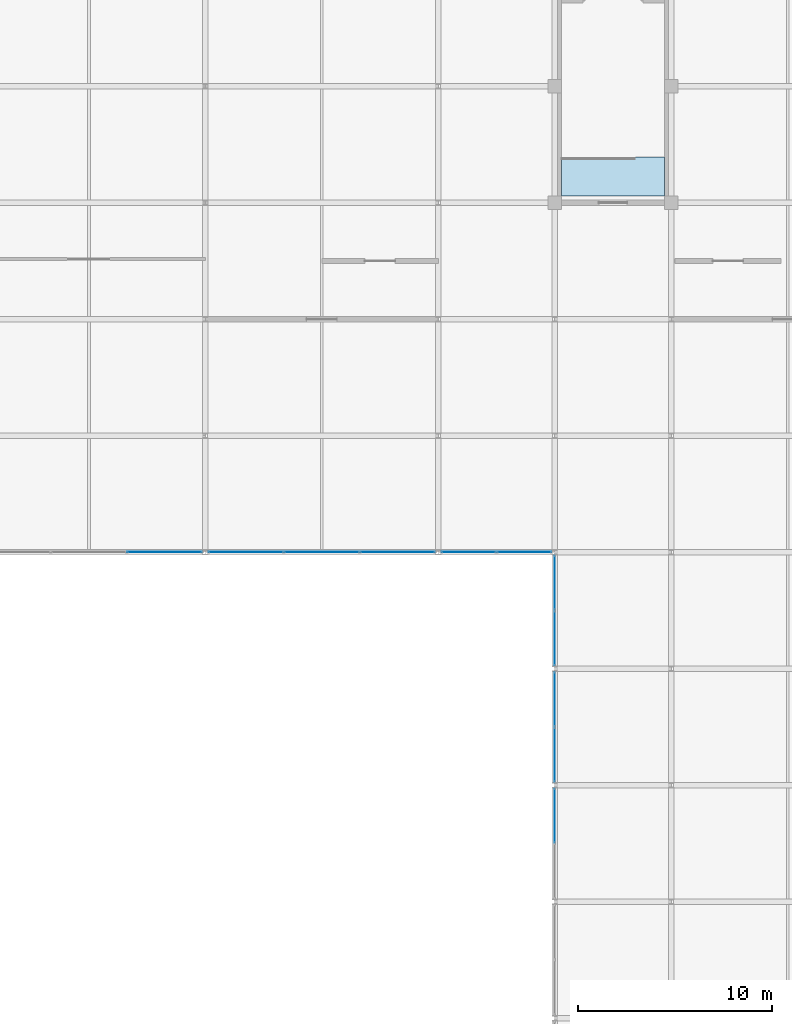
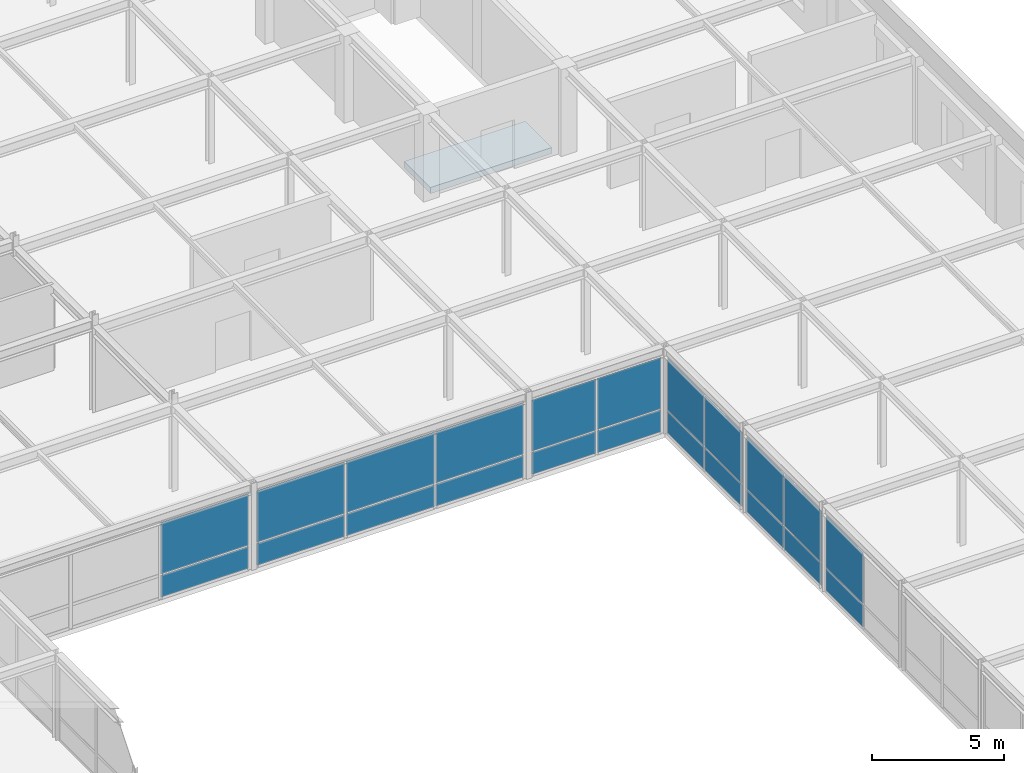
# One storey, part 99 of 111: 22 plates, 1 slab, 6 elements without a shape of their own.
"""IFC4 building model written with IfcOpenShell, lengths in metres."""

import ifcopenshell
import ifcopenshell.guid

model = None  # the IFC model being written
_history = None  # IfcOwnerHistory: only IFC2X3 demands one
_inside = {}  # id of a spatial element -> (the spatial element, [elements in it])
_under = {}  # id of a project, library or spatial element -> (it, [spatial elements below it])
_declared = {}  # id of a project -> (the project, [libraries it declares])
_typed = {}  # id of a type object -> (the type object, [elements of that type])
_made_of = {}  # id of a material, layer set ... -> (it, [elements and type objects made of it])


def new_model(schema):
    """Start an empty IFC model of exactly this schema.

    Asked for "IFC4X3", IfcOpenShell would pick the latest addendum, in which some entities
    have other attributes; the version numbers below select the first issue.
    IFC2X3 requires an IfcOwnerHistory on every rooted entity: one is made here for all.
    """
    global model, _history
    if schema == "IFC4X3":
        model = ifcopenshell.file(schema_version=(4, 3, 0, 0))
    else:
        model = ifcopenshell.file(schema=schema)
    _inside.clear()
    _under.clear()
    _declared.clear()
    _typed.clear()
    _made_of.clear()
    _history = None
    if model.schema == "IFC2X3":
        org = make("IfcOrganization", Name="unknown")
        user = make(
            "IfcPersonAndOrganization",
            ThePerson=make("IfcPerson", FamilyName="unknown"),
            TheOrganization=org,
        )
        app = make(
            "IfcApplication",
            ApplicationDeveloper=org,
            Version="unknown",
            ApplicationFullName="unknown",
            ApplicationIdentifier="unknown",
        )
        _history = make(
            "IfcOwnerHistory",
            OwningUser=user,
            OwningApplication=app,
            ChangeAction="ADDED",
            CreationDate=0,
        )
    return model


def make(cls, **values):
    """One entity of the class cls with the attributes given. An attribute that is None is left unset."""
    return model.create_entity(
        cls, **{name: value for name, value in values.items() if value is not None}
    )


def rooted(cls, **values):
    """An entity with a GlobalId (a new one), such as an element, a storey or a relation."""
    return make(cls, GlobalId=ifcopenshell.guid.new(), OwnerHistory=_history, **values)


def si_unit(unit_type, name, prefix=None):
    """IfcSIUnit, for example si_unit("LENGTHUNIT", "METRE", prefix="MILLI")."""
    return make("IfcSIUnit", UnitType=unit_type, Prefix=prefix, Name=name)


def assignment(units):
    """IfcUnitAssignment: the units of a project."""
    return None if units is None else make("IfcUnitAssignment", Units=units)


def point(xyz):
    """IfcCartesianPoint."""
    return None if xyz is None else make("IfcCartesianPoint", Coordinates=xyz)


def direction(xyz):
    """IfcDirection."""
    return None if xyz is None else make("IfcDirection", DirectionRatios=xyz)


def frame(location, z_axis=None, x_axis=None):
    """IfcAxis2Placement3D, a coordinate frame: its origin and axes. An axis left out is left unset."""
    return make(
        "IfcAxis2Placement3D",
        Location=point(location),
        Axis=direction(z_axis),
        RefDirection=direction(x_axis),
    )


def frame_2d(location, x_axis=None):
    """IfcAxis2Placement2D, a coordinate frame in the plane: its origin and x axis."""
    return make(
        "IfcAxis2Placement2D", Location=point(location), RefDirection=direction(x_axis)
    )


def origin():
    """The frame at (0, 0, 0) with its axes left unset."""
    return frame((0.0, 0.0, 0.0))


def origin_2d():
    """The frame at (0, 0) in the plane with its x axis left unset."""
    return frame_2d((0.0, 0.0))


def place(relative_to, where):
    """IfcLocalPlacement: puts the frame where relative to a parent placement (None: the world)."""
    return make(
        "IfcLocalPlacement", PlacementRelTo=relative_to, RelativePlacement=where
    )


def context(
    kind, dimensions, precision=None, world=None, true_north=None, identifier=None
):
    """IfcGeometricRepresentationContext, for example the 3D "Model" context."""
    return make(
        "IfcGeometricRepresentationContext",
        ContextIdentifier=identifier,
        ContextType=kind,
        CoordinateSpaceDimension=dimensions,
        Precision=precision,
        WorldCoordinateSystem=world,
        TrueNorth=true_north,
    )


def subcontext(parent, identifier, kind, view, scale=None):
    """IfcGeometricRepresentationSubContext, for example "Body" below "Model"."""
    return make(
        "IfcGeometricRepresentationSubContext",
        ContextIdentifier=identifier,
        ContextType=kind,
        ParentContext=parent,
        TargetScale=scale,
        TargetView=view,
    )


def project(units=None, contexts=None):
    """IfcProject with its units and contexts."""
    return rooted(
        "IfcProject",
        Name="project",
        RepresentationContexts=contexts,
        UnitsInContext=assignment(units),
    )


def spatial(cls, under=None, at=None, **own):
    """A site, building, storey or space (cls), placed at a placement, below another one or the project."""
    s = rooted(cls, ObjectPlacement=at, **own)
    if under is not None:
        _under.setdefault(under.id(), (under, []))[1].append(s)
    return s


def polyline(points):
    """IfcPolyline through the points."""
    return make("IfcPolyline", Points=[point(p) for p in points])


def profile(cls, at=None, kind="AREA", **sizes):
    """A parametric profile (cls). Its sizes go by their IFC names, for example OverallWidth=200.0."""
    return make(cls, ProfileType=kind, Position=at, **sizes)


def rectangle(**sizes):
    """IfcRectangleProfileDef."""
    return profile("IfcRectangleProfileDef", **sizes)


def outline(outer, holes=None, kind="AREA"):
    """IfcArbitraryClosedProfileDef: a profile drawn as a closed curve; with holes, ...WithVoids."""
    if holes is None:
        return make("IfcArbitraryClosedProfileDef", ProfileType=kind, OuterCurve=outer)
    return make(
        "IfcArbitraryProfileDefWithVoids",
        ProfileType=kind,
        OuterCurve=outer,
        InnerCurves=holes,
    )


def extrude(swept, where, along, depth):
    """IfcExtrudedAreaSolid: the profile swept, set in the frame where, extruded along a direction by depth."""
    return make(
        "IfcExtrudedAreaSolid",
        SweptArea=swept,
        Position=where,
        ExtrudedDirection=direction(along),
        Depth=depth,
    )


def shape(context_of_items, identifier, shape_type, items):
    """IfcShapeRepresentation: the items that make up one representation, for example the "Body"."""
    return make(
        "IfcShapeRepresentation",
        ContextOfItems=context_of_items,
        RepresentationIdentifier=identifier,
        RepresentationType=shape_type,
        Items=items,
    )


def material(Name=None, Category=None):
    """IfcMaterial."""
    return make("IfcMaterial", Name=Name, Category=Category)


def layer(
    of_material, thickness, ventilated=None, Name=None, Category=None, Priority=None
):
    """IfcMaterialLayer: one layer of a wall or slab, of a material (None: an air gap)."""
    return make(
        "IfcMaterialLayer",
        Material=of_material,
        LayerThickness=thickness,
        IsVentilated=ventilated,
        Name=Name,
        Category=Category,
        Priority=Priority,
    )


def layer_set(layers, Name=None):
    """IfcMaterialLayerSet."""
    return make("IfcMaterialLayerSet", MaterialLayers=layers, LayerSetName=Name)


def made_of(thing, what):
    """Note that an element or type object is made of a material, layer set ...; save() writes the relation."""
    if what is not None:
        _made_of.setdefault(what.id(), (what, []))[1].append(thing)
    return thing


def type_object(cls, material=None, **own):
    """A type object (cls), such as IfcWallType, which elements share."""
    return made_of(rooted(cls, **own), material)


def element(
    cls,
    number,
    at=None,
    inside=None,
    cuts=None,
    type_object=None,
    material=None,
    context=None,
    identifier="Body",
    shape_type=None,
    held_by="IfcProductDefinitionShape",
    body=None,
    shapes=None,
    **own,
):
    """One element of the class cls, such as IfcWall. Its Tag is "e" and its number.

    at: its placement. inside: the storey or other place that contains it. cuts: it is an
    opening in that element (IfcRelVoidsElement). A single representation is given by context,
    identifier, shape_type and body (its items); several are given by shapes. held_by: the class
    of the entity that holds the representations. save() writes the other relations.
    """
    e = rooted(cls, Tag="e%d" % number, ObjectPlacement=at, **own)
    if body is not None:
        shapes = [shape(context, identifier, shape_type, body)]
    if shapes is not None:
        e.Representation = make(held_by, Representations=shapes)
    if inside is not None:
        _inside.setdefault(inside.id(), (inside, []))[1].append(e)
    if cuts is not None:
        rooted(
            "IfcRelVoidsElement", RelatingBuildingElement=cuts, RelatedOpeningElement=e
        )
    if type_object is not None:
        _typed.setdefault(type_object.id(), (type_object, []))[1].append(e)
    return made_of(e, material)


def aggregate(whole, parts):
    """IfcRelAggregates: a whole, such as a stair, and the parts it consists of."""
    return rooted("IfcRelAggregates", RelatingObject=whole, RelatedObjects=parts)


def save(model, path):
    """Write the relations noted so far, then the file.

    IfcRelAggregates (storeys below a building ...), IfcRelContainedInSpatialStructure (elements
    in a storey), IfcRelDefinesByType, IfcRelAssociatesMaterial and IfcRelDeclares: one each for
    every whole, place, type object, material and project.
    """
    for whole, parts in _under.values():
        aggregate(whole, parts)
    for where, things in _inside.values():
        rooted(
            "IfcRelContainedInSpatialStructure",
            RelatedElements=things,
            RelatingStructure=where,
        )
    for kind, things in _typed.values():
        rooted("IfcRelDefinesByType", RelatedObjects=things, RelatingType=kind)
    for what, things in _made_of.values():
        rooted("IfcRelAssociatesMaterial", RelatedObjects=things, RelatingMaterial=what)
    for by, libraries in _declared.values():
        rooted("IfcRelDeclares", RelatingContext=by, RelatedDefinitions=libraries)
    model.write(path)


model = new_model("IFC4")

# Units and contexts
model_context = context("Model", 3, precision=1e-05, world=origin(), true_north=direction((0.0, 1.0)))
body_context = subcontext(model_context, "Body", "Model", "MODEL_VIEW")
ifc_project = project(units=[si_unit("LENGTHUNIT", "METRE"), si_unit("AREAUNIT", "SQUARE_METRE"), si_unit("VOLUMEUNIT", "CUBIC_METRE"), si_unit("PLANEANGLEUNIT", "RADIAN"), si_unit("MASSUNIT", "GRAM", prefix="KILO")], contexts=[model_context])

# Site, building, storey
site_placement = place(None, origin())
site = spatial("IfcSite", under=ifc_project, at=site_placement, CompositionType="ELEMENT")
building_placement = place(site_placement, origin())
building = spatial("IfcBuilding", under=site, at=building_placement, Name="Zlatovratsky Civic Hall", CompositionType="ELEMENT")
storey_placement = place(building_placement, frame((0.0, 0.0, 16.5)))
storey = spatial("IfcBuildingStorey", under=building, at=storey_placement, Name="L04", CompositionType="ELEMENT", Elevation=16.5)

# Curtain wall, plates
ifc_material_1 = material(Name="Anodised bronze aluminium", Category="aluminium")
ifc_layer_1 = layer(ifc_material_1, 0.159912109375)
ifc_layer_set_1 = layer_set([ifc_layer_1], Name="Anodised bronze aluminium")
curtain_wall_type_1 = type_object("IfcCurtainWallType", Name="CurtainWall_Bronze_11750x3550_17", PredefinedType="NOTDEFINED", material=ifc_layer_set_1)
curtain_wall_1_placement = place(storey_placement, origin())
curtain_wall_1 = element("IfcCurtainWall", 1, at=curtain_wall_1_placement, inside=storey, type_object=curtain_wall_type_1, Name="CW-114", PredefinedType="NOTDEFINED")
ifc_material_2 = material(Name="Low-E laminated double glazing", Category="glass")
ifc_layer_2 = layer(ifc_material_2, 0.02392578125)
ifc_layer_set_2 = layer_set([ifc_layer_2], Name="Low-E laminated double glazing")
plate_type = type_object("IfcPlateType", Name="Panel_CourtGlazing_24", PredefinedType="CURTAIN_PANEL", material=ifc_layer_set_2)
plate_1_placement = place(storey_placement, frame((129.901611328125, 66.0, 0.06005859375), z_axis=(0.0, 0.0, 1.0), x_axis=(1.0, 0.0, 0.0)))
plate_1 = element("IfcPlate", 2, at=plate_1_placement, type_object=plate_type, Name="CW-17 panel 3.1", PredefinedType="CURTAIN_PANEL", context=body_context, shape_type="SweptSolid", body=[
    extrude(rectangle(XDim=3.82666015625, YDim=0.02392578125, at=origin_2d()), origin(), (0.0, 0.0, 1.0), 1.010009765625),
])
plate_2_placement = place(storey_placement, frame((129.901611328125, 66.0, 1.1298828125), z_axis=(0.0, 0.0, 1.0), x_axis=(1.0, 0.0, 0.0)))
plate_2 = element("IfcPlate", 3, at=plate_2_placement, type_object=plate_type, Name="CW-17 panel 3.2", PredefinedType="CURTAIN_PANEL", context=body_context, shape_type="SweptSolid", body=[
    extrude(rectangle(XDim=3.82666015625, YDim=0.02392578125, at=origin_2d()), origin(), (0.0, 0.0, 1.0), 2.360107421875),
])
aggregate(curtain_wall_1, [plate_1, plate_2])

curtain_wall_2_placement = place(storey_placement, origin())
curtain_wall_2 = element("IfcCurtainWall", 4, at=curtain_wall_2_placement, inside=storey, type_object=curtain_wall_type_1, Name="CW-115", PredefinedType="NOTDEFINED")
plate_3_placement = place(storey_placement, frame((134.098388671875, 66.0, 0.06005859375), z_axis=(0.0, 0.0, 1.0), x_axis=(1.0, 0.0, 0.0)))
plate_3 = element("IfcPlate", 5, at=plate_3_placement, type_object=plate_type, Name="CW-17 panel 1.1", PredefinedType="CURTAIN_PANEL", context=body_context, shape_type="SweptSolid", body=[
    extrude(rectangle(XDim=3.82666015625, YDim=0.02392578125, at=origin_2d()), origin(), (0.0, 0.0, 1.0), 1.010009765625),
])
plate_4_placement = place(storey_placement, frame((134.098388671875, 66.0, 1.1298828125), z_axis=(0.0, 0.0, 1.0), x_axis=(1.0, 0.0, 0.0)))
plate_4 = element("IfcPlate", 6, at=plate_4_placement, type_object=plate_type, Name="CW-17 panel 1.2", PredefinedType="CURTAIN_PANEL", context=body_context, shape_type="SweptSolid", body=[
    extrude(rectangle(XDim=3.82666015625, YDim=0.02392578125, at=origin_2d()), origin(), (0.0, 0.0, 1.0), 2.360107421875),
])
plate_5_placement = place(storey_placement, frame((138.0, 66.0, 0.06005859375), z_axis=(0.0, 0.0, 1.0), x_axis=(1.0, 0.0, 0.0)))
plate_5 = element("IfcPlate", 7, at=plate_5_placement, type_object=plate_type, Name="CW-17 panel 2.1", PredefinedType="CURTAIN_PANEL", context=body_context, shape_type="SweptSolid", body=[
    extrude(rectangle(XDim=3.856689453125, YDim=0.02392578125, at=origin_2d()), origin(), (0.0, 0.0, 1.0), 1.010009765625),
])
plate_6_placement = place(storey_placement, frame((138.0, 66.0, 1.1298828125), z_axis=(0.0, 0.0, 1.0), x_axis=(1.0, 0.0, 0.0)))
plate_6 = element("IfcPlate", 8, at=plate_6_placement, type_object=plate_type, Name="CW-17 panel 2.2", PredefinedType="CURTAIN_PANEL", context=body_context, shape_type="SweptSolid", body=[
    extrude(rectangle(XDim=3.856689453125, YDim=0.02392578125, at=origin_2d()), origin(), (0.0, 0.0, 1.0), 2.360107421875),
])
plate_7_placement = place(storey_placement, frame((141.901611328125, 66.0, 0.06005859375), z_axis=(0.0, 0.0, 1.0), x_axis=(1.0, 0.0, 0.0)))
plate_7 = element("IfcPlate", 9, at=plate_7_placement, type_object=plate_type, Name="CW-17 panel 3.1", PredefinedType="CURTAIN_PANEL", context=body_context, shape_type="SweptSolid", body=[
    extrude(rectangle(XDim=3.82666015625, YDim=0.02392578125, at=origin_2d()), origin(), (0.0, 0.0, 1.0), 1.010009765625),
])
plate_8_placement = place(storey_placement, frame((141.901611328125, 66.0, 1.1298828125), z_axis=(0.0, 0.0, 1.0), x_axis=(1.0, 0.0, 0.0)))
plate_8 = element("IfcPlate", 10, at=plate_8_placement, type_object=plate_type, Name="CW-17 panel 3.2", PredefinedType="CURTAIN_PANEL", context=body_context, shape_type="SweptSolid", body=[
    extrude(rectangle(XDim=3.82666015625, YDim=0.02392578125, at=origin_2d()), origin(), (0.0, 0.0, 1.0), 2.360107421875),
])
aggregate(curtain_wall_2, [plate_3, plate_4, plate_5, plate_6, plate_7, plate_8])

ifc_layer_3 = layer(ifc_material_1, 0.159912109375)
ifc_layer_set_3 = layer_set([ifc_layer_3], Name="Anodised bronze aluminium")
curtain_wall_type_2 = type_object("IfcCurtainWallType", Name="CurtainWall_Bronze_5750x3550_18", PredefinedType="NOTDEFINED", material=ifc_layer_set_3)
curtain_wall_3_placement = place(storey_placement, origin())
curtain_wall_3 = element("IfcCurtainWall", 11, at=curtain_wall_3_placement, inside=storey, type_object=curtain_wall_type_2, Name="CW-116", PredefinedType="NOTDEFINED")
plate_9_placement = place(storey_placement, frame((145.577392578125, 66.0, 0.06005859375), z_axis=(0.0, 0.0, 1.0), x_axis=(1.0, 0.0, 0.0)))
plate_9 = element("IfcPlate", 12, at=plate_9_placement, type_object=plate_type, Name="CW-18 panel 1.1", PredefinedType="CURTAIN_PANEL", context=body_context, shape_type="SweptSolid", body=[
    extrude(rectangle(XDim=2.784912109375, YDim=0.02392578125, at=origin_2d()), origin(), (0.0, 0.0, 1.0), 1.010009765625),
])
plate_10_placement = place(storey_placement, frame((145.577392578125, 66.0, 1.1298828125), z_axis=(0.0, 0.0, 1.0), x_axis=(1.0, 0.0, 0.0)))
plate_10 = element("IfcPlate", 13, at=plate_10_placement, type_object=plate_type, Name="CW-18 panel 1.2", PredefinedType="CURTAIN_PANEL", context=body_context, shape_type="SweptSolid", body=[
    extrude(rectangle(XDim=2.784912109375, YDim=0.02392578125, at=origin_2d()), origin(), (0.0, 0.0, 1.0), 2.360107421875),
])
plate_11_placement = place(storey_placement, frame((148.422607421875, 66.0, 0.06005859375), z_axis=(0.0, 0.0, 1.0), x_axis=(1.0, 0.0, 0.0)))
plate_11 = element("IfcPlate", 14, at=plate_11_placement, type_object=plate_type, Name="CW-18 panel 2.1", PredefinedType="CURTAIN_PANEL", context=body_context, shape_type="SweptSolid", body=[
    extrude(rectangle(XDim=2.784912109375, YDim=0.02392578125, at=origin_2d()), origin(), (0.0, 0.0, 1.0), 1.010009765625),
])
plate_12_placement = place(storey_placement, frame((148.422607421875, 66.0, 1.1298828125), z_axis=(0.0, 0.0, 1.0), x_axis=(1.0, 0.0, 0.0)))
plate_12 = element("IfcPlate", 15, at=plate_12_placement, type_object=plate_type, Name="CW-18 panel 2.2", PredefinedType="CURTAIN_PANEL", context=body_context, shape_type="SweptSolid", body=[
    extrude(rectangle(XDim=2.784912109375, YDim=0.02392578125, at=origin_2d()), origin(), (0.0, 0.0, 1.0), 2.360107421875),
])
aggregate(curtain_wall_3, [plate_9, plate_10, plate_11, plate_12])

curtain_wall_4_placement = place(storey_placement, origin())
curtain_wall_4 = element("IfcCurtainWall", 16, at=curtain_wall_4_placement, inside=storey, type_object=curtain_wall_type_2, Name="CW-126", PredefinedType="NOTDEFINED")
plate_13_placement = place(storey_placement, frame((150.0, 52.422607421875, 0.06005859375), z_axis=(0.0, 0.0, 1.0), x_axis=(0.0, 1.0, 0.0)))
plate_13 = element("IfcPlate", 17, at=plate_13_placement, type_object=plate_type, Name="CW-18 panel 2.1", PredefinedType="CURTAIN_PANEL", context=body_context, shape_type="SweptSolid", body=[
    extrude(rectangle(XDim=2.784912109375, YDim=0.02392578125, at=origin_2d()), origin(), (0.0, 0.0, 1.0), 1.010009765625),
])
plate_14_placement = place(storey_placement, frame((150.0, 52.422607421875, 1.1298828125), z_axis=(0.0, 0.0, 1.0), x_axis=(0.0, 1.0, 0.0)))
plate_14 = element("IfcPlate", 18, at=plate_14_placement, type_object=plate_type, Name="CW-18 panel 2.2", PredefinedType="CURTAIN_PANEL", context=body_context, shape_type="SweptSolid", body=[
    extrude(rectangle(XDim=2.784912109375, YDim=0.02392578125, at=origin_2d()), origin(), (0.0, 0.0, 1.0), 2.360107421875),
])
aggregate(curtain_wall_4, [plate_13, plate_14])

curtain_wall_5_placement = place(storey_placement, origin())
curtain_wall_5 = element("IfcCurtainWall", 19, at=curtain_wall_5_placement, inside=storey, type_object=curtain_wall_type_2, Name="CW-127", PredefinedType="NOTDEFINED")
plate_15_placement = place(storey_placement, frame((150.0, 55.577392578125, 0.06005859375), z_axis=(0.0, 0.0, 1.0), x_axis=(0.0, 1.0, 0.0)))
plate_15 = element("IfcPlate", 20, at=plate_15_placement, type_object=plate_type, Name="CW-18 panel 1.1", PredefinedType="CURTAIN_PANEL", context=body_context, shape_type="SweptSolid", body=[
    extrude(rectangle(XDim=2.784912109375, YDim=0.02392578125, at=origin_2d()), origin(), (0.0, 0.0, 1.0), 1.010009765625),
])
plate_16_placement = place(storey_placement, frame((150.0, 55.577392578125, 1.1298828125), z_axis=(0.0, 0.0, 1.0), x_axis=(0.0, 1.0, 0.0)))
plate_16 = element("IfcPlate", 21, at=plate_16_placement, type_object=plate_type, Name="CW-18 panel 1.2", PredefinedType="CURTAIN_PANEL", context=body_context, shape_type="SweptSolid", body=[
    extrude(rectangle(XDim=2.784912109375, YDim=0.02392578125, at=origin_2d()), origin(), (0.0, 0.0, 1.0), 2.360107421875),
])
plate_17_placement = place(storey_placement, frame((150.0, 58.422607421875, 0.06005859375), z_axis=(0.0, 0.0, 1.0), x_axis=(0.0, 1.0, 0.0)))
plate_17 = element("IfcPlate", 22, at=plate_17_placement, type_object=plate_type, Name="CW-18 panel 2.1", PredefinedType="CURTAIN_PANEL", context=body_context, shape_type="SweptSolid", body=[
    extrude(rectangle(XDim=2.784912109375, YDim=0.02392578125, at=origin_2d()), origin(), (0.0, 0.0, 1.0), 1.010009765625),
])
plate_18_placement = place(storey_placement, frame((150.0, 58.422607421875, 1.1298828125), z_axis=(0.0, 0.0, 1.0), x_axis=(0.0, 1.0, 0.0)))
plate_18 = element("IfcPlate", 23, at=plate_18_placement, type_object=plate_type, Name="CW-18 panel 2.2", PredefinedType="CURTAIN_PANEL", context=body_context, shape_type="SweptSolid", body=[
    extrude(rectangle(XDim=2.784912109375, YDim=0.02392578125, at=origin_2d()), origin(), (0.0, 0.0, 1.0), 2.360107421875),
])
aggregate(curtain_wall_5, [plate_15, plate_16, plate_17, plate_18])

curtain_wall_6_placement = place(storey_placement, origin())
curtain_wall_6 = element("IfcCurtainWall", 24, at=curtain_wall_6_placement, inside=storey, type_object=curtain_wall_type_2, Name="CW-128", PredefinedType="NOTDEFINED")
plate_19_placement = place(storey_placement, frame((150.0, 61.577392578125, 0.06005859375), z_axis=(0.0, 0.0, 1.0), x_axis=(0.0, 1.0, 0.0)))
plate_19 = element("IfcPlate", 25, at=plate_19_placement, type_object=plate_type, Name="CW-18 panel 1.1", PredefinedType="CURTAIN_PANEL", context=body_context, shape_type="SweptSolid", body=[
    extrude(rectangle(XDim=2.784912109375, YDim=0.02392578125, at=origin_2d()), origin(), (0.0, 0.0, 1.0), 1.010009765625),
])
plate_20_placement = place(storey_placement, frame((150.0, 61.577392578125, 1.1298828125), z_axis=(0.0, 0.0, 1.0), x_axis=(0.0, 1.0, 0.0)))
plate_20 = element("IfcPlate", 26, at=plate_20_placement, type_object=plate_type, Name="CW-18 panel 1.2", PredefinedType="CURTAIN_PANEL", context=body_context, shape_type="SweptSolid", body=[
    extrude(rectangle(XDim=2.784912109375, YDim=0.02392578125, at=origin_2d()), origin(), (0.0, 0.0, 1.0), 2.360107421875),
])
plate_21_placement = place(storey_placement, frame((150.0, 64.422607421875, 0.06005859375), z_axis=(0.0, 0.0, 1.0), x_axis=(0.0, 1.0, 0.0)))
plate_21 = element("IfcPlate", 27, at=plate_21_placement, type_object=plate_type, Name="CW-18 panel 2.1", PredefinedType="CURTAIN_PANEL", context=body_context, shape_type="SweptSolid", body=[
    extrude(rectangle(XDim=2.784912109375, YDim=0.02392578125, at=origin_2d()), origin(), (0.0, 0.0, 1.0), 1.010009765625),
])
plate_22_placement = place(storey_placement, frame((150.0, 64.422607421875, 1.1298828125), z_axis=(0.0, 0.0, 1.0), x_axis=(0.0, 1.0, 0.0)))
plate_22 = element("IfcPlate", 28, at=plate_22_placement, type_object=plate_type, Name="CW-18 panel 2.2", PredefinedType="CURTAIN_PANEL", context=body_context, shape_type="SweptSolid", body=[
    extrude(rectangle(XDim=2.784912109375, YDim=0.02392578125, at=origin_2d()), origin(), (0.0, 0.0, 1.0), 2.360107421875),
])
aggregate(curtain_wall_6, [plate_19, plate_20, plate_21, plate_22])

# Slab
ifc_material_3 = material(Name="Concrete C30/37 (B35)", Category="concrete")
ifc_layer_4 = layer(ifc_material_3, 0.280029296875)
ifc_layer_set_4 = layer_set([ifc_layer_4], Name="Concrete C30/37 (B35)")
slab_type = type_object("IfcSlabType", Name="Slab_CompactArchiveFloor_280", PredefinedType="FLOOR", material=ifc_layer_set_4)
slab_placement = place(storey_placement, frame((0.0, 0.0, -0.280029296875)))
element("IfcSlab", 29, at=slab_placement, inside=storey, type_object=slab_type, Name="SL-044", PredefinedType="FLOOR", context=body_context, shape_type="SweptSolid", body=[
    extrude(outline(polyline([(150.35009765625, 84.35009765625), (155.64990234375, 84.35009765625), (155.64990234375, 86.35009765625), (150.35009765625, 86.35009765625), (150.35009765625, 84.35009765625)])), origin(), (0.0, 0.0, 1.0), 0.280029296875),
])

save(model, "model.ifc")
